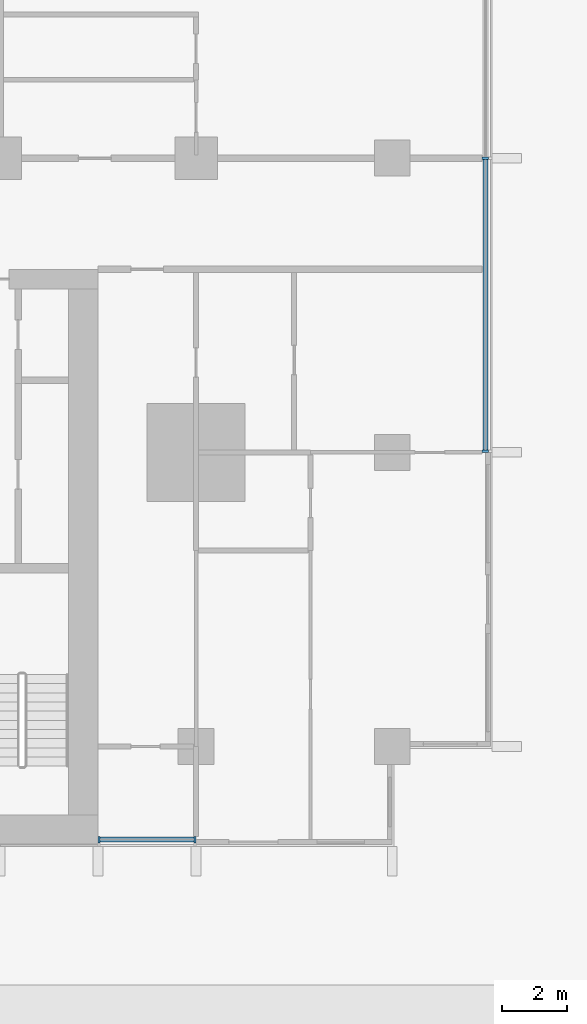
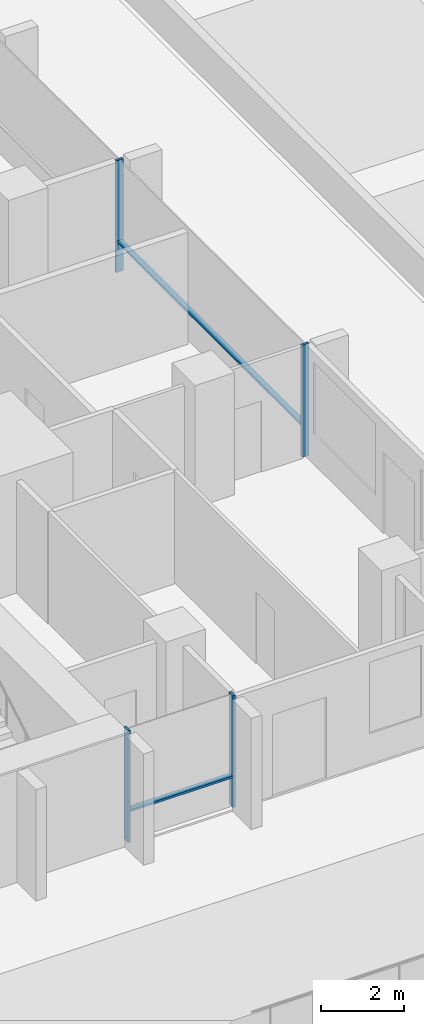
# One storey, part 3 of 25: 6 members, 2 elements without a shape of their own.
"""IFC4 building model written with IfcOpenShell, lengths in metres."""

from ifc_helpers import new_model, si_unit, direction, frame, origin, origin_2d, place, context, subcontext, project, spatial, rectangle, extrude, material, material_profile, profile_set, type_object, element, aggregate, save


model = new_model("IFC4")

# Units and contexts
model_context = context("Model", 3, precision=1e-05, world=origin(), true_north=direction((0.0, 1.0)))
body_context = subcontext(model_context, "Body", "Model", "MODEL_VIEW")
ifc_project = project(units=[si_unit("LENGTHUNIT", "METRE"), si_unit("AREAUNIT", "SQUARE_METRE"), si_unit("VOLUMEUNIT", "CUBIC_METRE"), si_unit("PLANEANGLEUNIT", "RADIAN"), si_unit("MASSUNIT", "GRAM", prefix="KILO")], contexts=[model_context])

# Site, building, storey
site_placement = place(None, origin())
site = spatial("IfcSite", under=ifc_project, at=site_placement, CompositionType="ELEMENT")
building_placement = place(site_placement, origin())
building = spatial("IfcBuilding", under=site, at=building_placement, Name="Finial Court Residences", CompositionType="ELEMENT")
storey_placement = place(building_placement, frame((0.0, 0.0, 32.5)))
storey = spatial("IfcBuildingStorey", under=building, at=storey_placement, Name="L06", CompositionType="ELEMENT", Elevation=32.5)

# Curtain wall, members
ifc_material = material(Name="Bronze anodised aluminium", Category="aluminium")
curtain_wall_type = type_object("IfcCurtainWallType", Name="Unitised curtain wall, lower and middle zones", PredefinedType="NOTDEFINED", material=ifc_material)
curtain_wall_1_placement = place(storey_placement, origin())
curtain_wall_1 = element("IfcCurtainWall", 1, at=curtain_wall_1_placement, inside=storey, type_object=curtain_wall_type, Name="E-L06-CW-E4", PredefinedType="NOTDEFINED")
ifc_material_profile_1 = material_profile(ifc_material, rectangle(XDim=0.199951171875, YDim=0.06494140625, at=origin_2d()), Name="CW1 mullion 65 x 200")
ifc_profile_set_1 = profile_set([ifc_material_profile_1], Name="Bronze anodised aluminium")
member_type_1 = type_object("IfcMemberType", Name="CW1 mullion 65 x 200", PredefinedType="MULLION", material=ifc_profile_set_1)
member_1_placement = place(storey_placement, frame((25.35009765625, -13.467529296875, 0.0), z_axis=(0.0, 0.0, 1.0), x_axis=(-1.0, 0.0, 0.0)))
member_1 = element("IfcMember", 2, at=member_1_placement, type_object=member_type_1, Name="CW1 mullion 1", PredefinedType="MULLION", context=body_context, shape_type="SweptSolid", body=[
    extrude(rectangle(XDim=0.199951171875, YDim=0.06494140625, at=origin_2d()), origin(), (0.0, 0.0, 1.0), 3.300048828125),
])
member_2_placement = place(storey_placement, frame((25.35009765625, -4.5, 0.0), z_axis=(0.0, 0.0, 1.0), x_axis=(-1.0, 0.0, 0.0)))
member_2 = element("IfcMember", 3, at=member_2_placement, type_object=member_type_1, Name="CW1 mullion 2", PredefinedType="MULLION", context=body_context, shape_type="SweptSolid", body=[
    extrude(rectangle(XDim=0.199951171875, YDim=0.06494140625, at=origin_2d()), origin(), (0.0, 0.0, 1.0), 3.300048828125),
])

curtain_wall_2_placement = place(storey_placement, origin())
curtain_wall_2 = element("IfcCurtainWall", 4, at=curtain_wall_2_placement, inside=storey, type_object=curtain_wall_type, Name="E-L06-CW-S8", PredefinedType="NOTDEFINED")
member_3_placement = place(storey_placement, frame((13.532470703125, -25.35009765625, 0.0), z_axis=(0.0, 0.0, 1.0), x_axis=(0.0, 1.0, 0.0)))
member_3 = element("IfcMember", 5, at=member_3_placement, type_object=member_type_1, Name="CW1 mullion 1", PredefinedType="MULLION", context=body_context, shape_type="SweptSolid", body=[
    extrude(rectangle(XDim=0.199951171875, YDim=0.06494140625, at=origin_2d()), origin(), (0.0, 0.0, 1.0), 3.300048828125),
])
member_4_placement = place(storey_placement, frame((16.467529296875, -25.35009765625, 0.0), z_axis=(0.0, 0.0, 1.0), x_axis=(0.0, 1.0, 0.0)))
member_4 = element("IfcMember", 6, at=member_4_placement, type_object=member_type_1, Name="CW1 mullion 2", PredefinedType="MULLION", context=body_context, shape_type="SweptSolid", body=[
    extrude(rectangle(XDim=0.199951171875, YDim=0.06494140625, at=origin_2d()), origin(), (0.0, 0.0, 1.0), 3.300048828125),
])

# Member
ifc_material_profile_2 = material_profile(ifc_material, rectangle(XDim=0.14990234375, YDim=0.06494140625, at=origin_2d()), Name="CW1 transom 65 x 150")
ifc_profile_set_2 = profile_set([ifc_material_profile_2], Name="Bronze anodised aluminium")
member_type_2 = type_object("IfcMemberType", Name="CW1 transom 65 x 150", PredefinedType="USERDEFINED", material=ifc_profile_set_2)
member_5_placement = place(storey_placement, frame((25.35009765625, -13.43505859375, 0.89990234375), z_axis=(0.0, 1.0, 0.0), x_axis=(-1.0, 0.0, 0.0)))
member_5 = element("IfcMember", 7, at=member_5_placement, type_object=member_type_2, Name="CW1 transom 1.1", ObjectType="TRANSOM", PredefinedType="USERDEFINED", context=body_context, shape_type="SweptSolid", body=[
    extrude(rectangle(XDim=0.14990234375, YDim=0.06494140625, at=origin_2d()), origin(), (0.0, 0.0, 1.0), 8.902587890625),
])

aggregate(curtain_wall_1, [member_1, member_2, member_5])

member_6_placement = place(storey_placement, frame((13.56494140625, -25.35009765625, 0.89990234375), z_axis=(1.0, 0.0, 0.0), x_axis=(0.0, 1.0, 0.0)))
member_6 = element("IfcMember", 8, at=member_6_placement, type_object=member_type_2, Name="CW1 transom 1.1", ObjectType="TRANSOM", PredefinedType="USERDEFINED", context=body_context, shape_type="SweptSolid", body=[
    extrude(rectangle(XDim=0.14990234375, YDim=0.06494140625, at=origin_2d()), origin(), (0.0, 0.0, 1.0), 2.8701171875),
])

aggregate(curtain_wall_2, [member_3, member_4, member_6])

save(model, "model.ifc")
